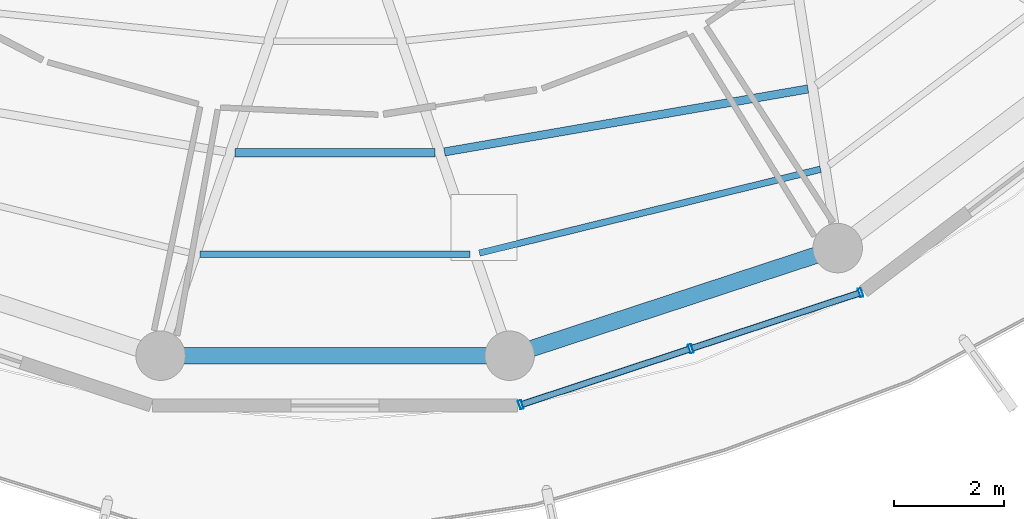
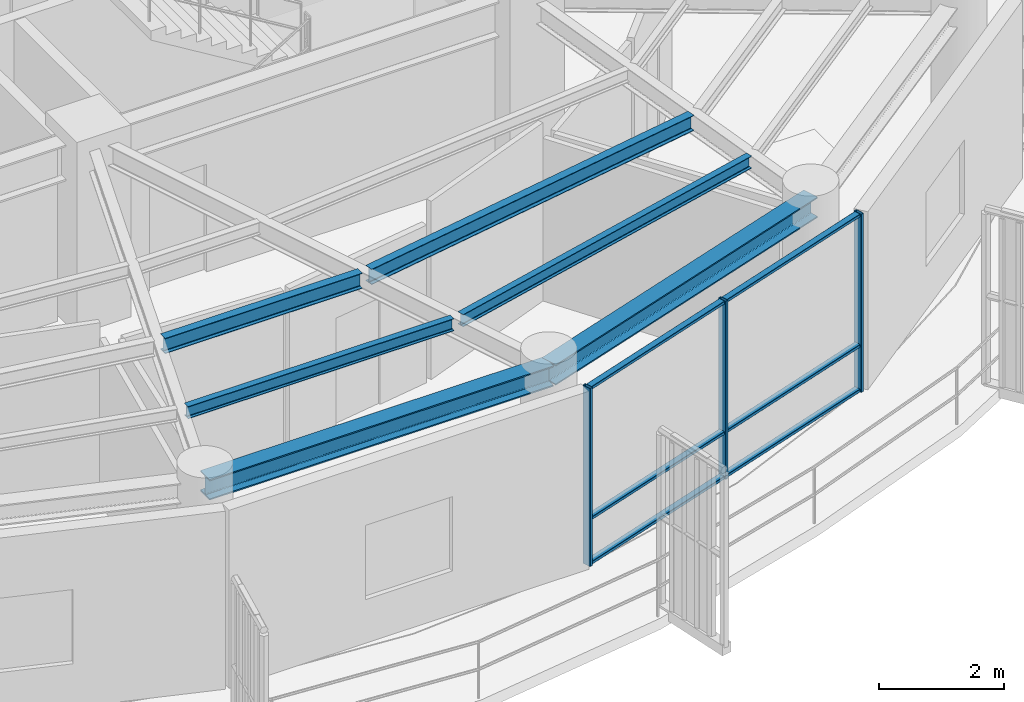
# One storey, part 3 of 22: 9 members, 6 beams, 1 element without a shape of its own.
"""IFC4 building model written with IfcOpenShell, lengths in metres."""

from ifc_helpers import new_model, si_unit, direction, frame, origin, origin_2d, place, context, subcontext, project, spatial, hollow_rectangle, i_section, extrude, material, layer, layer_set, material_profile, profile_set, type_object, element, aggregate, save


model = new_model("IFC4")

# Units and contexts
model_context = context("Model", 3, precision=1e-05, world=origin(), true_north=direction((0.0, 1.0)))
body_context = subcontext(model_context, "Body", "Model", "MODEL_VIEW")
ifc_project = project(units=[si_unit("LENGTHUNIT", "METRE"), si_unit("AREAUNIT", "SQUARE_METRE"), si_unit("VOLUMEUNIT", "CUBIC_METRE"), si_unit("PLANEANGLEUNIT", "RADIAN"), si_unit("MASSUNIT", "GRAM", prefix="KILO")], contexts=[model_context])

# Site, building, storey
site_placement = place(None, origin())
site = spatial("IfcSite", under=ifc_project, at=site_placement, CompositionType="ELEMENT")
building_placement = place(site_placement, origin())
building = spatial("IfcBuilding", under=site, at=building_placement, Name="Kelanora Arch Commons", CompositionType="ELEMENT")
storey_placement = place(building_placement, frame((0.0, 0.0, 259.949951171875)))
storey = spatial("IfcBuildingStorey", under=building, at=storey_placement, Name="L66", CompositionType="ELEMENT", Elevation=259.949951171875)

# Beams
ifc_material_1 = material(Name="Steel S355", Category="steel")
ifc_material_profile_1 = material_profile(ifc_material_1, i_section(OverallWidth=0.14990234375, OverallDepth=0.300048828125, WebThickness=0.007080078125, FlangeThickness=0.0107421875, FilletRadius=0.014892578125, at=origin_2d()), Name="IPE300")
ifc_profile_set_1 = profile_set([ifc_material_profile_1], Name="Steel S355")
beam_type_1 = type_object("IfcBeamType", Name="BM-JST-01", PredefinedType="JOIST", material=ifc_profile_set_1)
beam_1_placement = place(storey_placement, frame((72.180419921875, 45.462158203125, 3.340087890625), z_axis=(1.0, 0.0, 0.0), x_axis=(0.0, 1.0, 0.0)))
element("IfcBeam", 1, at=beam_1_placement, inside=storey, type_object=beam_type_1, Name="Secondary Chord Joist BJB-26 L66", PredefinedType="JOIST", context=body_context, shape_type="SweptSolid", body=[
    extrude(i_section(OverallWidth=0.14990234375, OverallDepth=0.300048828125, WebThickness=0.007080078125, FlangeThickness=0.0107421875, FilletRadius=0.014892578125, at=origin_2d()), origin(), (0.0, 0.0, 1.0), 3.63916015625),
])
beam_2_placement = place(storey_placement, frame((75.98828125, 45.476806640625, 3.340087890625), z_axis=(0.985321568263, 0.170708544357, 0.0), x_axis=(-0.170708544357, 0.985321568263, 0.0)))
element("IfcBeam", 2, at=beam_2_placement, inside=storey, type_object=beam_type_1, Name="Secondary Chord Joist BJB-28 L66", PredefinedType="JOIST", context=body_context, shape_type="SweptSolid", body=[
    extrude(i_section(OverallWidth=0.14990234375, OverallDepth=0.300048828125, WebThickness=0.007080078125, FlangeThickness=0.0107421875, FilletRadius=0.014892578125, at=origin_2d()), origin(), (0.0, 0.0, 1.0), 6.710205078125),
])
ifc_material_profile_2 = material_profile(ifc_material_1, i_section(OverallWidth=0.1201171875, OverallDepth=0.239990234375, WebThickness=0.006103515625, FlangeThickness=0.009765625, FilletRadius=0.014892578125, at=origin_2d()), Name="IPE240")
ifc_profile_set_2 = profile_set([ifc_material_profile_2], Name="Steel S355")
beam_type_2 = type_object("IfcBeamType", Name="BM-JST-02", PredefinedType="JOIST", material=ifc_profile_set_2)
beam_3_placement = place(storey_placement, frame((71.545654296875, 43.6162109375, 3.3701171875), z_axis=(1.0, 0.0, 0.0), x_axis=(0.0, 1.0, 0.0)))
element("IfcBeam", 3, at=beam_3_placement, inside=storey, type_object=beam_type_2, Name="Secondary Chord Joist BJC-26 L66", PredefinedType="JOIST", context=body_context, shape_type="SweptSolid", body=[
    extrude(i_section(OverallWidth=0.1201171875, OverallDepth=0.239990234375, WebThickness=0.006103515625, FlangeThickness=0.009765625, FilletRadius=0.014892578125, at=origin_2d()), origin(), (0.0, 0.0, 1.0), 4.90869140625),
])
beam_4_placement = place(storey_placement, frame((76.6220703125, 43.63671875, 3.3701171875), z_axis=(0.971109719488, 0.23863342749, 0.0), x_axis=(-0.23863342749, 0.971109719488, 0.0)))
element("IfcBeam", 4, at=beam_4_placement, inside=storey, type_object=beam_type_2, Name="Secondary Chord Joist BJC-28 L66", PredefinedType="JOIST", context=body_context, shape_type="SweptSolid", body=[
    extrude(i_section(OverallWidth=0.1201171875, OverallDepth=0.239990234375, WebThickness=0.006103515625, FlangeThickness=0.009765625, FilletRadius=0.014892578125, at=origin_2d()), origin(), (0.0, 0.0, 1.0), 6.39208984375),
])
ifc_material_profile_3 = material_profile(ifc_material_1, i_section(OverallWidth=0.300048828125, OverallDepth=0.39990234375, WebThickness=0.013427734375, FlangeThickness=0.02392578125, FilletRadius=0.027099609375, at=origin_2d()), Name="HEB400")
ifc_profile_set_3 = profile_set([ifc_material_profile_3], Name="Steel S355")
beam_type_3 = type_object("IfcBeamType", Name="BM-SPN-Z4", PredefinedType="SPANDREL", material=ifc_profile_set_3)
beam_5_placement = place(storey_placement, frame((70.82568359375, 41.7705078125, 3.2900390625), z_axis=(1.0, 0.0, 0.0), x_axis=(0.0, 1.0, 0.0)))
element("IfcBeam", 5, at=beam_5_placement, inside=storey, type_object=beam_type_3, Name="Perimeter Spandrel Beam BS-26 L66", PredefinedType="SPANDREL", context=body_context, shape_type="SweptSolid", body=[
    extrude(i_section(OverallWidth=0.300048828125, OverallDepth=0.39990234375, WebThickness=0.013427734375, FlangeThickness=0.02392578125, FilletRadius=0.027099609375, at=origin_2d()), origin(), (0.0, 0.0, 1.0), 6.3486328125),
])
beam_6_placement = place(storey_placement, frame((77.17431640625, 41.7705078125, 3.2900390625), z_axis=(0.950165923039, 0.311744636996, 0.0), x_axis=(-0.311744636996, 0.950165923039, 0.0)))
element("IfcBeam", 6, at=beam_6_placement, inside=storey, type_object=beam_type_3, Name="Perimeter Spandrel Beam BS-28 L66", PredefinedType="SPANDREL", context=body_context, shape_type="SweptSolid", body=[
    extrude(i_section(OverallWidth=0.300048828125, OverallDepth=0.39990234375, WebThickness=0.013427734375, FlangeThickness=0.02392578125, FilletRadius=0.027099609375, at=origin_2d()), origin(), (0.0, 0.0, 1.0), 6.278564453125),
])

# Curtain wall, members
ifc_material_2 = material(Name="Terracotta ceramic-fritted low-E glass and aluminium", Category="masonry")
ifc_layer = layer(ifc_material_2, 0.18994140625)
ifc_layer_set = layer_set([ifc_layer], Name="Terracotta ceramic-fritted low-E glass and aluminium")
curtain_wall_type = type_object("IfcCurtainWallType", Name="CW-SYS-03", PredefinedType="NOTDEFINED", material=ifc_layer_set)
curtain_wall_placement = place(storey_placement, origin())
curtain_wall = element("IfcCurtainWall", 7, at=curtain_wall_placement, inside=storey, type_object=curtain_wall_type, Name="Unitised Curtain Wall L66-B14", PredefinedType="NOTDEFINED")
ifc_material_3 = material(Name="Powder-coated aluminium terracotta", Category="masonry")
ifc_material_profile_4 = material_profile(ifc_material_3, hollow_rectangle(XDim=0.159912109375, YDim=0.06005859375, WallThickness=0.0048828125, InnerFilletRadius=0.0048828125, OuterFilletRadius=0.010009765625, at=origin_2d()), Name="CWM160x60")
ifc_profile_set_4 = profile_set([ifc_material_profile_4], Name="Powder-coated aluminium terracotta")
member_type_1 = type_object("IfcMemberType", Name="CWM-STD", PredefinedType="MULLION", material=ifc_profile_set_4)
member_1_placement = place(storey_placement, frame((77.376708984375, 40.87841796875, 0.0), z_axis=(0.0, 0.0, 1.0), x_axis=(-0.313252785344, 0.949669780752, 0.0)))
member_1 = element("IfcMember", 8, at=member_1_placement, type_object=member_type_1, Name="CW-03 mullion 1", PredefinedType="MULLION", context=body_context, shape_type="SweptSolid", body=[
    extrude(hollow_rectangle(XDim=0.159912109375, YDim=0.06005859375, WallThickness=0.0048828125, InnerFilletRadius=0.0048828125, OuterFilletRadius=0.010009765625, at=origin_2d()), origin(), (0.0, 0.0, 1.0), 3.47509765625),
])
member_2_placement = place(storey_placement, frame((80.467041015625, 41.897705078125, 0.0), z_axis=(0.0, 0.0, 1.0), x_axis=(-0.313252785344, 0.949669780752, 0.0)))
member_2 = element("IfcMember", 9, at=member_2_placement, type_object=member_type_1, Name="CW-03 mullion 2", PredefinedType="MULLION", context=body_context, shape_type="SweptSolid", body=[
    extrude(hollow_rectangle(XDim=0.159912109375, YDim=0.06005859375, WallThickness=0.0048828125, InnerFilletRadius=0.0048828125, OuterFilletRadius=0.010009765625, at=origin_2d()), origin(), (0.0, 0.0, 1.0), 3.47509765625),
])
member_3_placement = place(storey_placement, frame((83.557373046875, 42.9169921875, 0.0), z_axis=(0.0, 0.0, 1.0), x_axis=(-0.313252785344, 0.949669780752, 0.0)))
member_3 = element("IfcMember", 10, at=member_3_placement, type_object=member_type_1, Name="CW-03 mullion 3", PredefinedType="MULLION", context=body_context, shape_type="SweptSolid", body=[
    extrude(hollow_rectangle(XDim=0.159912109375, YDim=0.06005859375, WallThickness=0.0048828125, InnerFilletRadius=0.0048828125, OuterFilletRadius=0.010009765625, at=origin_2d()), origin(), (0.0, 0.0, 1.0), 3.47509765625),
])
ifc_material_profile_5 = material_profile(ifc_material_3, hollow_rectangle(XDim=0.1201171875, YDim=0.06005859375, WallThickness=0.0048828125, InnerFilletRadius=0.0048828125, OuterFilletRadius=0.010009765625, at=origin_2d()), Name="CWT120x60")
ifc_profile_set_5 = profile_set([ifc_material_profile_5], Name="Powder-coated aluminium terracotta")
member_type_2 = type_object("IfcMemberType", Name="CWT-STD", PredefinedType="USERDEFINED", material=ifc_profile_set_5)
member_4_placement = place(storey_placement, frame((77.4052734375, 40.8876953125, 0.030029296875), z_axis=(0.949649574195, 0.313314037719, 0.0), x_axis=(-0.313314037719, 0.949649574195, 0.0)))
member_4 = element("IfcMember", 11, at=member_4_placement, type_object=member_type_2, Name="CW-03 transom 1.1", ObjectType="TRANSOM", PredefinedType="USERDEFINED", context=body_context, shape_type="SweptSolid", body=[
    extrude(hollow_rectangle(XDim=0.1201171875, YDim=0.06005859375, WallThickness=0.0048828125, InnerFilletRadius=0.0048828125, OuterFilletRadius=0.010009765625, at=origin_2d()), origin(), (0.0, 0.0, 1.0), 3.194091796875),
])
member_5_placement = place(storey_placement, frame((77.4052734375, 40.8876953125, 0.900146484375), z_axis=(0.949649574195, 0.313314037719, 0.0), x_axis=(-0.313314037719, 0.949649574195, 0.0)))
member_5 = element("IfcMember", 12, at=member_5_placement, type_object=member_type_2, Name="CW-03 transom 1.2", ObjectType="TRANSOM", PredefinedType="USERDEFINED", context=body_context, shape_type="SweptSolid", body=[
    extrude(hollow_rectangle(XDim=0.1201171875, YDim=0.06005859375, WallThickness=0.0048828125, InnerFilletRadius=0.0048828125, OuterFilletRadius=0.010009765625, at=origin_2d()), origin(), (0.0, 0.0, 1.0), 3.194091796875),
])
member_6_placement = place(storey_placement, frame((77.4052734375, 40.8876953125, 3.445068359375), z_axis=(0.949649574195, 0.313314037719, 0.0), x_axis=(-0.313314037719, 0.949649574195, 0.0)))
member_6 = element("IfcMember", 13, at=member_6_placement, type_object=member_type_2, Name="CW-03 transom 1.3", ObjectType="TRANSOM", PredefinedType="USERDEFINED", context=body_context, shape_type="SweptSolid", body=[
    extrude(hollow_rectangle(XDim=0.1201171875, YDim=0.06005859375, WallThickness=0.0048828125, InnerFilletRadius=0.0048828125, OuterFilletRadius=0.010009765625, at=origin_2d()), origin(), (0.0, 0.0, 1.0), 3.194091796875),
])
member_7_placement = place(storey_placement, frame((80.49560546875, 41.9072265625, 0.030029296875), z_axis=(0.949672315102, 0.313245102003, 0.0), x_axis=(-0.313245102003, 0.949672315102, 0.0)))
member_7 = element("IfcMember", 14, at=member_7_placement, type_object=member_type_2, Name="CW-03 transom 2.1", ObjectType="TRANSOM", PredefinedType="USERDEFINED", context=body_context, shape_type="SweptSolid", body=[
    extrude(hollow_rectangle(XDim=0.1201171875, YDim=0.06005859375, WallThickness=0.0048828125, InnerFilletRadius=0.0048828125, OuterFilletRadius=0.010009765625, at=origin_2d()), origin(), (0.0, 0.0, 1.0), 3.19384765625),
])
member_8_placement = place(storey_placement, frame((80.49560546875, 41.9072265625, 0.900146484375), z_axis=(0.949672315102, 0.313245102003, 0.0), x_axis=(-0.313245102003, 0.949672315102, 0.0)))
member_8 = element("IfcMember", 15, at=member_8_placement, type_object=member_type_2, Name="CW-03 transom 2.2", ObjectType="TRANSOM", PredefinedType="USERDEFINED", context=body_context, shape_type="SweptSolid", body=[
    extrude(hollow_rectangle(XDim=0.1201171875, YDim=0.06005859375, WallThickness=0.0048828125, InnerFilletRadius=0.0048828125, OuterFilletRadius=0.010009765625, at=origin_2d()), origin(), (0.0, 0.0, 1.0), 3.19384765625),
])
member_9_placement = place(storey_placement, frame((80.49560546875, 41.9072265625, 3.445068359375), z_axis=(0.949672315102, 0.313245102003, 0.0), x_axis=(-0.313245102003, 0.949672315102, 0.0)))
member_9 = element("IfcMember", 16, at=member_9_placement, type_object=member_type_2, Name="CW-03 transom 2.3", ObjectType="TRANSOM", PredefinedType="USERDEFINED", context=body_context, shape_type="SweptSolid", body=[
    extrude(hollow_rectangle(XDim=0.1201171875, YDim=0.06005859375, WallThickness=0.0048828125, InnerFilletRadius=0.0048828125, OuterFilletRadius=0.010009765625, at=origin_2d()), origin(), (0.0, 0.0, 1.0), 3.19384765625),
])
aggregate(curtain_wall, [member_1, member_2, member_3, member_4, member_5, member_6, member_7, member_8, member_9])

save(model, "model.ifc")
